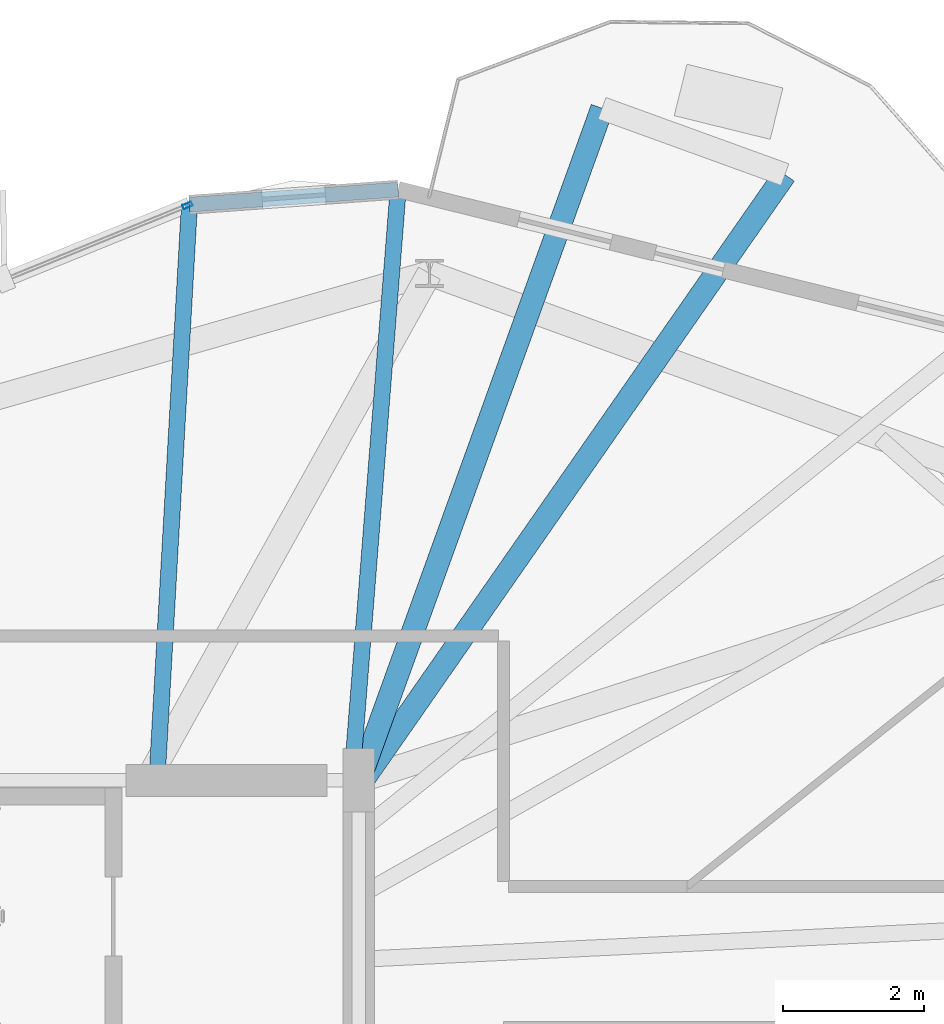
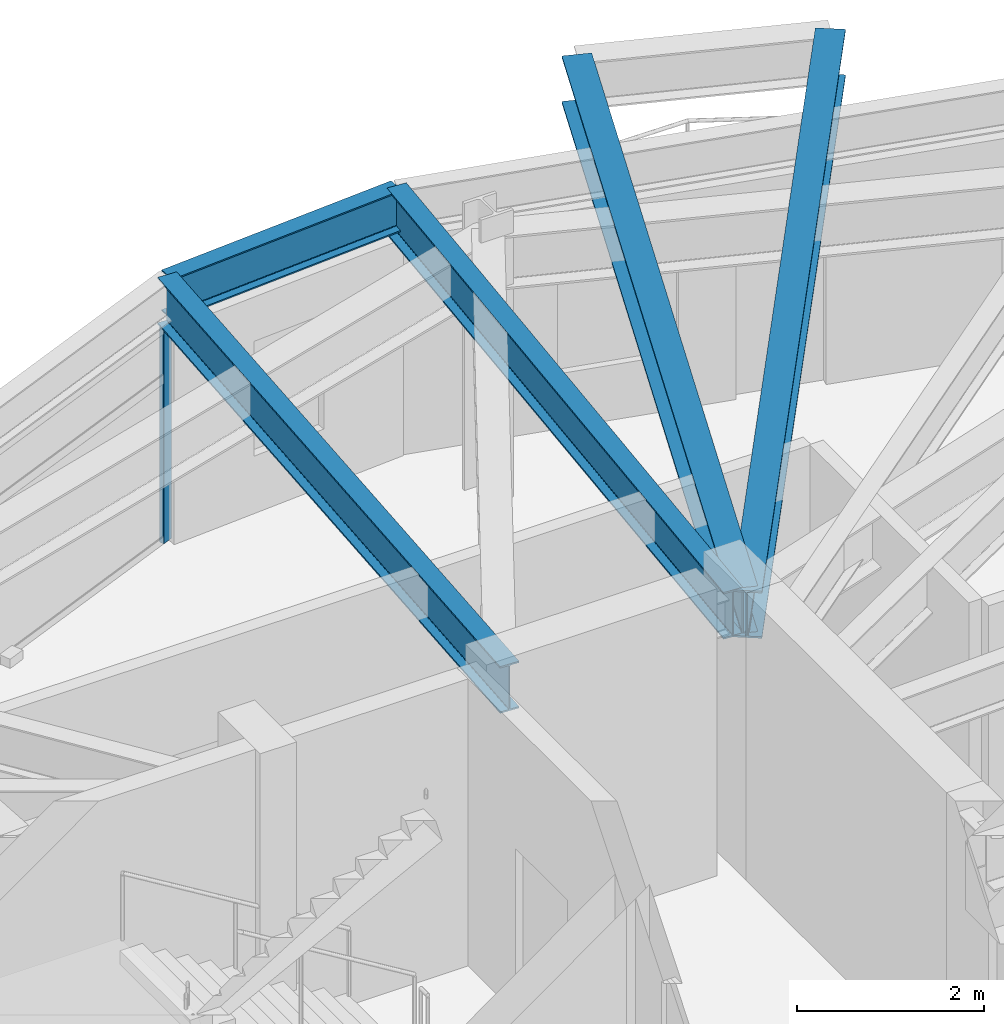
# One storey, part 18 of 26: 5 beams, 1 member, 1 element without a shape of its own.
"""IFC4 building model written with IfcOpenShell, lengths in metres."""

from ifc_helpers import new_model, si_unit, direction, frame, origin, origin_2d, place, context, subcontext, project, spatial, hollow_rectangle, i_section, extrude, material, layer, layer_set, material_profile, profile_set, type_object, element, aggregate, save


model = new_model("IFC4")

# Units and contexts
model_context = context("Model", 3, precision=1e-05, world=origin(), true_north=direction((0.0, 1.0)))
body_context = subcontext(model_context, "Body", "Model", "MODEL_VIEW")
ifc_project = project(units=[si_unit("LENGTHUNIT", "METRE"), si_unit("AREAUNIT", "SQUARE_METRE"), si_unit("VOLUMEUNIT", "CUBIC_METRE"), si_unit("PLANEANGLEUNIT", "RADIAN"), si_unit("MASSUNIT", "GRAM", prefix="KILO")], contexts=[model_context])

# Site, building, storey
site_placement = place(None, origin())
site = spatial("IfcSite", under=ifc_project, at=site_placement, CompositionType="ELEMENT")
building_placement = place(site_placement, origin())
building = spatial("IfcBuilding", under=site, at=building_placement, Name="Soratama Intermodal Tower", CompositionType="ELEMENT")
storey_placement = place(building_placement, frame((0.0, 0.0, 246.25)))
storey = spatial("IfcBuildingStorey", under=building, at=storey_placement, Name="L62", CompositionType="ELEMENT", Elevation=246.25)

# Beams
ifc_material_1 = material(Name="Structural steel ASTM A992 Grade 50", Category="steel")
ifc_material_profile_1 = material_profile(ifc_material_1, i_section(OverallWidth=0.324951171875, OverallDepth=0.615966796875, WebThickness=0.013916015625, FlangeThickness=0.021484375, FilletRadius=0.013916015625, at=origin_2d()), Name="W24X117")
ifc_profile_set_1 = profile_set([ifc_material_profile_1], Name="Structural steel ASTM A992 Grade 50")
beam_type_1 = type_object("IfcBeamType", Name="BM-CANT-W24X117", PredefinedType="BEAM", material=ifc_profile_set_1)
beam_1_placement = place(storey_placement, frame((44.623046875, 34.9560546875, 3.14208984375), z_axis=(0.571784144176, 0.820404103152, 0.0), x_axis=(-0.820404103152, 0.571784144176, 0.0)))
element("IfcBeam", 1, at=beam_1_placement, inside=storey, type_object=beam_type_1, Name="BM-L62-CANT-2-1", PredefinedType="BEAM", context=body_context, shape_type="SweptSolid", body=[
    extrude(i_section(OverallWidth=0.324951171875, OverallDepth=0.615966796875, WebThickness=0.013916015625, FlangeThickness=0.021484375, FilletRadius=0.013916015625, at=origin_2d()), origin(), (0.0, 0.0, 1.0), 10.52294921875),
])
beam_2_placement = place(storey_placement, frame((44.614013671875, 35.02587890625, 3.14208984375), z_axis=(0.339852852842, 0.940478621987, 0.0), x_axis=(-0.940478621987, 0.339852852842, 0.0)))
element("IfcBeam", 2, at=beam_2_placement, inside=storey, type_object=beam_type_1, Name="BM-L62-CANT-2-2", PredefinedType="BEAM", context=body_context, shape_type="SweptSolid", body=[
    extrude(i_section(OverallWidth=0.324951171875, OverallDepth=0.615966796875, WebThickness=0.013916015625, FlangeThickness=0.021484375, FilletRadius=0.013916015625, at=origin_2d()), origin(), (0.0, 0.0, 1.0), 10.104736328125),
])
ifc_material_2 = material(Name="Structural steel ASTM A992 Grade 50", Category="steel")
ifc_material_profile_2 = material_profile(ifc_material_2, i_section(OverallWidth=0.2099609375, OverallDepth=0.537109375, WebThickness=0.010986328125, FlangeThickness=0.017333984375, FilletRadius=0.012939453125, at=origin_2d()), Name="W21X68")
ifc_profile_set_2 = profile_set([ifc_material_profile_2], Name="Structural steel ASTM A992 Grade 50")
beam_type_2 = type_object("IfcBeamType", Name="BM-SPN-W21X68", PredefinedType="SPANDREL", material=ifc_profile_set_2)
beam_3_placement = place(storey_placement, frame((45.156982421875, 43.376953125, 3.181396484375), z_axis=(-0.997398190635, -0.072089176155, 0.0), x_axis=(0.072089176155, -0.997398190635, 0.0)))
element("IfcBeam", 3, at=beam_3_placement, inside=storey, type_object=beam_type_2, Name="BS-L62-CRN01", PredefinedType="SPANDREL", context=body_context, shape_type="SweptSolid", body=[
    extrude(i_section(OverallWidth=0.2099609375, OverallDepth=0.537109375, WebThickness=0.010986328125, FlangeThickness=0.017333984375, FilletRadius=0.012939453125, at=origin_2d()), origin(), (0.0, 0.0, 1.0), 2.966796875),
])
ifc_material_3 = material(Name="Structural steel ASTM A992 Grade 50", Category="steel")
ifc_material_profile_3 = material_profile(ifc_material_3, i_section(OverallWidth=0.22900390625, OverallDepth=0.612060546875, WebThickness=0.011962890625, FlangeThickness=0.01953125, FilletRadius=0.012939453125, at=origin_2d()), Name="W24X84")
ifc_profile_set_3 = profile_set([ifc_material_profile_3], Name="Structural steel ASTM A992 Grade 50")
beam_type_3 = type_object("IfcBeamType", Name="BM-TIE-W24X84", PredefinedType="BEAM", material=ifc_profile_set_3)
beam_4_placement = place(storey_placement, frame((44.501953125, 35.0400390625, 3.14404296875), z_axis=(0.078328358594, 0.996927614343, 0.0), x_axis=(-0.996927614343, 0.078328358594, 0.0)))
element("IfcBeam", 4, at=beam_4_placement, inside=storey, type_object=beam_type_3, Name="BM-L62-TIE1-01", PredefinedType="BEAM", context=body_context, shape_type="SweptSolid", body=[
    extrude(i_section(OverallWidth=0.22900390625, OverallDepth=0.612060546875, WebThickness=0.011962890625, FlangeThickness=0.01953125, FilletRadius=0.012939453125, at=origin_2d()), origin(), (0.0, 0.0, 1.0), 8.362548828125),
])
beam_5_placement = place(storey_placement, frame((41.739990234375, 35.0400390625, 3.14404296875), z_axis=(0.056294333687, 0.998414216643, 0.0), x_axis=(-0.998414216643, 0.056294333687, 0.0)))
element("IfcBeam", 5, at=beam_5_placement, inside=storey, type_object=beam_type_3, Name="BM-L62-TIE0-02", PredefinedType="BEAM", context=body_context, shape_type="SweptSolid", body=[
    extrude(i_section(OverallWidth=0.22900390625, OverallDepth=0.612060546875, WebThickness=0.011962890625, FlangeThickness=0.01953125, FilletRadius=0.012939453125, at=origin_2d()), origin(), (0.0, 0.0, 1.0), 8.135986328125),
])

# Curtain wall, member
ifc_material_4 = material(Name="Double-glazed aluminium curtain wall", Category="aluminium")
ifc_layer = layer(ifc_material_4, 0.159912109375)
ifc_layer_set = layer_set([ifc_layer], Name="Double-glazed aluminium curtain wall")
curtain_wall_type = type_object("IfcCurtainWallType", Name="CW-SYS-5", PredefinedType="NOTDEFINED", material=ifc_layer_set)
curtain_wall_placement = place(storey_placement, origin())
curtain_wall = element("IfcCurtainWall", 6, at=curtain_wall_placement, inside=storey, type_object=curtain_wall_type, Name="L62 Faceted Curtain Wall F02", PredefinedType="NOTDEFINED")
ifc_material_5 = material(Name="Anodised aluminium AA 6063-T6", Category="aluminium")
ifc_material_profile_4 = material_profile(ifc_material_5, hollow_rectangle(XDim=0.06494140625, YDim=0.139892578125, WallThickness=0.0048828125, InnerFilletRadius=0.0048828125, OuterFilletRadius=0.010009765625, at=origin_2d()), Name="CWM140X65X5")
ifc_profile_set_4 = profile_set([ifc_material_profile_4], Name="Anodised aluminium AA 6063-T6")
member_type = type_object("IfcMemberType", Name="MT-CWM-5", PredefinedType="MULLION", material=ifc_profile_set_4)
member_placement = place(storey_placement, frame((42.17041015625, 43.15185546875, 0.0), z_axis=(0.0, 0.0, 1.0), x_axis=(0.376881280442, -0.926261572372, 0.0)))
member = element("IfcMember", 7, at=member_placement, type_object=member_type, Name="CW-5 mullion 1", PredefinedType="MULLION", context=body_context, shape_type="SweptSolid", body=[
    extrude(hollow_rectangle(XDim=0.06494140625, YDim=0.139892578125, WallThickness=0.0048828125, InnerFilletRadius=0.0048828125, OuterFilletRadius=0.010009765625, at=origin_2d()), origin(), (0.0, 0.0, 1.0), 2.8291015625),
])
aggregate(curtain_wall, [member])

save(model, "model.ifc")
